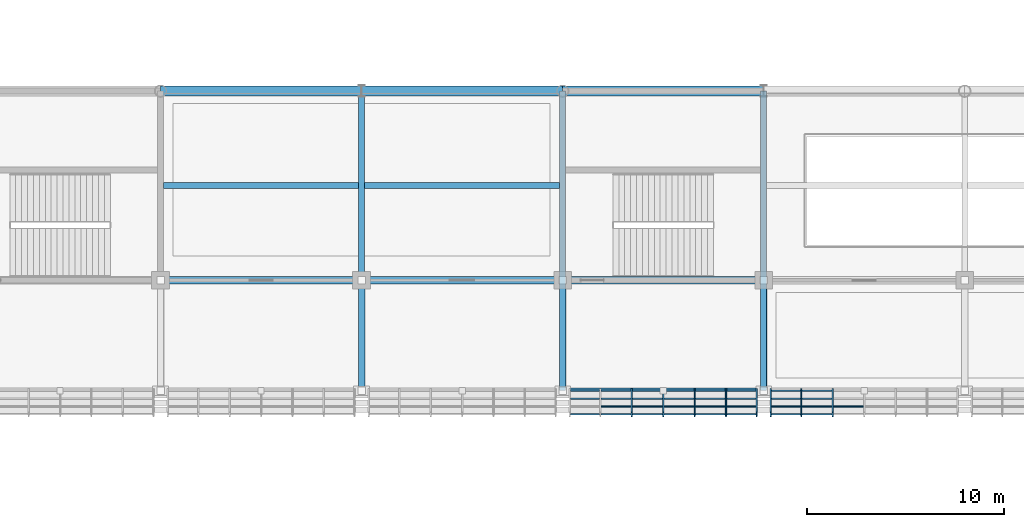
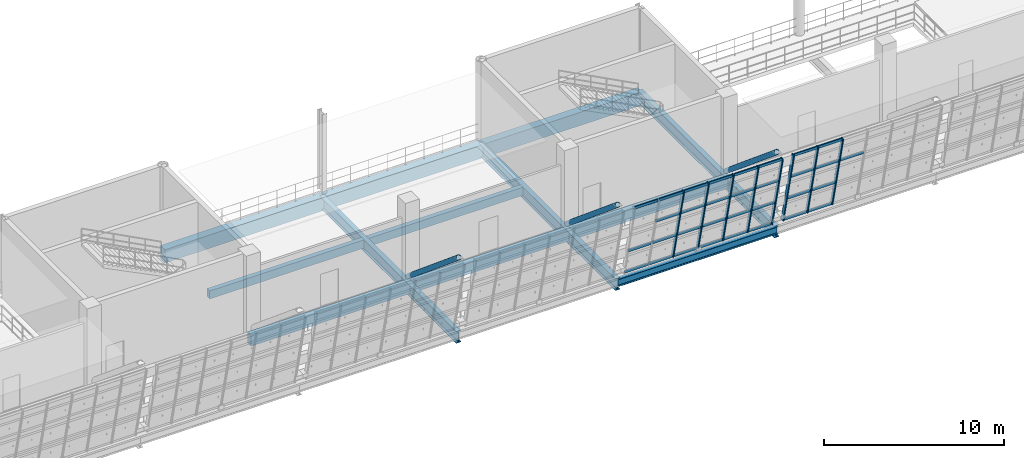
# One storey, part 29 of 175: 43 members, 12 beams, 2 elements without a shape of their own.
"""IFC4 building model written with IfcOpenShell, lengths in metres."""

from ifc_helpers import new_model, si_unit, direction, frame, origin, origin_2d, place, context, subcontext, project, spatial, rectangle, hollow_rectangle, hollow_circle, i_section, extrude, material, material_profile, profile_set, type_object, element, aggregate, save


model = new_model("IFC4")

# Units and contexts
model_context = context("Model", 3, precision=1e-05, world=origin(), true_north=direction((0.0, 1.0)))
body_context = subcontext(model_context, "Body", "Model", "MODEL_VIEW")
ifc_project = project(units=[si_unit("LENGTHUNIT", "METRE"), si_unit("AREAUNIT", "SQUARE_METRE"), si_unit("VOLUMEUNIT", "CUBIC_METRE"), si_unit("PLANEANGLEUNIT", "RADIAN"), si_unit("MASSUNIT", "GRAM", prefix="KILO")], contexts=[model_context])

# Site, building, storey
site_placement = place(None, origin())
site = spatial("IfcSite", under=ifc_project, at=site_placement, CompositionType="ELEMENT")
building_placement = place(site_placement, origin())
building = spatial("IfcBuilding", under=site, at=building_placement, Name="Brelvane Convention Centre", CompositionType="ELEMENT")
storey_placement = place(building_placement, frame((0.0, 0.0, 5.39990234375)))
storey = spatial("IfcBuildingStorey", under=building, at=storey_placement, Name="L01", CompositionType="ELEMENT", Elevation=5.39990234375)

# Curtain wall, members
ifc_material_1 = material(Name="Anodised Aluminium Alloy 6063-T6", Category="aluminium")
curtain_wall_type = type_object("IfcCurtainWallType", Name="Curtain Wall CW-HULL-S", PredefinedType="USERDEFINED", material=ifc_material_1)
curtain_wall_1_placement = place(storey_placement, origin())
curtain_wall_1 = element("IfcCurtainWall", 1, at=curtain_wall_1_placement, inside=storey, type_object=curtain_wall_type, Name="Curtain Wall CW-HULL-S L01-HULL-S-L01-09", ObjectType="UNITISED", PredefinedType="USERDEFINED")
ifc_material_2 = material(Name="Anodised Aluminium Alloy 6063-T6", Category="aluminium")
ifc_material_profile_1 = material_profile(ifc_material_2, hollow_rectangle(XDim=0.080078125, YDim=0.239990234375, WallThickness=0.006103515625, InnerFilletRadius=0.006103515625, OuterFilletRadius=0.011962890625, at=origin_2d()), Name="ALU-M 240x80x6.0")
ifc_profile_set_1 = profile_set([ifc_material_profile_1], Name="Anodised Aluminium Alloy 6063-T6")
member_type_1 = type_object("IfcMemberType", Name="Curtain Mullion CW-M1", PredefinedType="MULLION", material=ifc_profile_set_1)
member_1_placement = place(storey_placement, frame((85.106689453125, 13.60009765625, 0.0), z_axis=(0.0, -0.228360162456, 0.973576723326), x_axis=(1.0, 0.0, 0.0)))
member_1 = element("IfcMember", 2, at=member_1_placement, type_object=member_type_1, Name="CW-HULL-S mullion 3", PredefinedType="MULLION", context=body_context, shape_type="SweptSolid", body=[
    extrude(hollow_rectangle(XDim=0.080078125, YDim=0.239990234375, WallThickness=0.006103515625, InnerFilletRadius=0.006103515625, OuterFilletRadius=0.011962890625, at=origin_2d()), origin(), (0.0, 0.0, 1.0), 5.2900390625),
])
member_2_placement = place(storey_placement, frame((86.699951171875, 13.60009765625, 0.0), z_axis=(0.0, -0.228360162456, 0.973576723326), x_axis=(1.0, 0.0, 0.0)))
member_2 = element("IfcMember", 3, at=member_2_placement, type_object=member_type_1, Name="CW-HULL-S mullion 4", PredefinedType="MULLION", context=body_context, shape_type="SweptSolid", body=[
    extrude(hollow_rectangle(XDim=0.080078125, YDim=0.239990234375, WallThickness=0.006103515625, InnerFilletRadius=0.006103515625, OuterFilletRadius=0.011962890625, at=origin_2d()), origin(), (0.0, 0.0, 1.0), 5.2900390625),
])
member_3_placement = place(storey_placement, frame((88.293212890625, 13.60009765625, 0.0), z_axis=(0.0, -0.228360162456, 0.973576723326), x_axis=(1.0, 0.0, 0.0)))
member_3 = element("IfcMember", 4, at=member_3_placement, type_object=member_type_1, Name="CW-HULL-S mullion 5", PredefinedType="MULLION", context=body_context, shape_type="SweptSolid", body=[
    extrude(hollow_rectangle(XDim=0.080078125, YDim=0.239990234375, WallThickness=0.006103515625, InnerFilletRadius=0.006103515625, OuterFilletRadius=0.011962890625, at=origin_2d()), origin(), (0.0, 0.0, 1.0), 5.2900390625),
])
member_4_placement = place(storey_placement, frame((89.88671875, 13.60009765625, 0.0), z_axis=(0.0, -0.228360162456, 0.973576723326), x_axis=(1.0, 0.0, 0.0)))
member_4 = element("IfcMember", 5, at=member_4_placement, type_object=member_type_1, Name="CW-HULL-S mullion 6", PredefinedType="MULLION", context=body_context, shape_type="SweptSolid", body=[
    extrude(hollow_rectangle(XDim=0.080078125, YDim=0.239990234375, WallThickness=0.006103515625, InnerFilletRadius=0.006103515625, OuterFilletRadius=0.011962890625, at=origin_2d()), origin(), (0.0, 0.0, 1.0), 5.2900390625),
])
member_5_placement = place(storey_placement, frame((91.43994140625, 13.60009765625, 0.0), z_axis=(0.0, -0.228360162456, 0.973576723326), x_axis=(1.0, 0.0, 0.0)))
member_5 = element("IfcMember", 6, at=member_5_placement, type_object=member_type_1, Name="CW-HULL-S mullion 7", PredefinedType="MULLION", context=body_context, shape_type="SweptSolid", body=[
    extrude(hollow_rectangle(XDim=0.080078125, YDim=0.239990234375, WallThickness=0.006103515625, InnerFilletRadius=0.006103515625, OuterFilletRadius=0.011962890625, at=origin_2d()), origin(), (0.0, 0.0, 1.0), 5.2900390625),
])

curtain_wall_2_placement = place(storey_placement, origin())
curtain_wall_2 = element("IfcCurtainWall", 7, at=curtain_wall_2_placement, inside=storey, type_object=curtain_wall_type, Name="Curtain Wall CW-HULL-S L01-HULL-S-L01-10", ObjectType="UNITISED", PredefinedType="USERDEFINED")
member_6_placement = place(storey_placement, frame((92.159912109375, 13.60009765625, 0.0), z_axis=(0.0, -0.228360162456, 0.973576723326), x_axis=(1.0, 0.0, 0.0)))
member_6 = element("IfcMember", 8, at=member_6_placement, type_object=member_type_1, Name="CW-HULL-S mullion 1", PredefinedType="MULLION", context=body_context, shape_type="SweptSolid", body=[
    extrude(hollow_rectangle(XDim=0.080078125, YDim=0.239990234375, WallThickness=0.006103515625, InnerFilletRadius=0.006103515625, OuterFilletRadius=0.011962890625, at=origin_2d()), origin(), (0.0, 0.0, 1.0), 5.2900390625),
])
member_7_placement = place(storey_placement, frame((93.71337890625, 13.60009765625, 0.0), z_axis=(0.0, -0.228360162456, 0.973576723326), x_axis=(1.0, 0.0, 0.0)))
member_7 = element("IfcMember", 9, at=member_7_placement, type_object=member_type_1, Name="CW-HULL-S mullion 2", PredefinedType="MULLION", context=body_context, shape_type="SweptSolid", body=[
    extrude(hollow_rectangle(XDim=0.080078125, YDim=0.239990234375, WallThickness=0.006103515625, InnerFilletRadius=0.006103515625, OuterFilletRadius=0.011962890625, at=origin_2d()), origin(), (0.0, 0.0, 1.0), 5.2900390625),
])
member_8_placement = place(storey_placement, frame((95.306640625, 13.60009765625, 0.0), z_axis=(0.0, -0.228360162456, 0.973576723326), x_axis=(1.0, 0.0, 0.0)))
member_8 = element("IfcMember", 10, at=member_8_placement, type_object=member_type_1, Name="CW-HULL-S mullion 3", PredefinedType="MULLION", context=body_context, shape_type="SweptSolid", body=[
    extrude(hollow_rectangle(XDim=0.080078125, YDim=0.239990234375, WallThickness=0.006103515625, InnerFilletRadius=0.006103515625, OuterFilletRadius=0.011962890625, at=origin_2d()), origin(), (0.0, 0.0, 1.0), 5.2900390625),
])

# Member
ifc_material_3 = material(Name="Anodised Aluminium Alloy 6063-T6", Category="aluminium")
ifc_material_profile_2 = material_profile(ifc_material_3, hollow_rectangle(XDim=0.080078125, YDim=0.179931640625, WallThickness=0.0048828125, InnerFilletRadius=0.0048828125, OuterFilletRadius=0.010009765625, at=origin_2d()), Name="ALU-T 180x80x5.0")
ifc_profile_set_2 = profile_set([ifc_material_profile_2], Name="Anodised Aluminium Alloy 6063-T6")
member_type_2 = type_object("IfcMemberType", Name="Curtain Transom CW-T1", PredefinedType="USERDEFINED", material=ifc_profile_set_2)
member_9_placement = place(storey_placement, frame((82.0, 13.590576171875, 0.0400390625), z_axis=(1.0, 0.0, 0.0), x_axis=(0.0, 1.0, 0.0)))
member_9 = element("IfcMember", 11, at=member_9_placement, type_object=member_type_2, Name="CW-HULL-S transom 1.1", ObjectType="TRANSOM", PredefinedType="USERDEFINED", context=body_context, shape_type="SweptSolid", body=[
    extrude(hollow_rectangle(XDim=0.080078125, YDim=0.179931640625, WallThickness=0.0048828125, InnerFilletRadius=0.0048828125, OuterFilletRadius=0.010009765625, at=origin_2d()), origin(), (0.0, 0.0, 1.0), 1.473388671875),
])

member_10_placement = place(storey_placement, frame((82.0, 13.197265625, 1.716796875), z_axis=(1.0, 0.0, 0.0), x_axis=(0.0, 1.0, 0.0)))
member_10 = element("IfcMember", 12, at=member_10_placement, type_object=member_type_2, Name="CW-HULL-S transom 1.2", ObjectType="TRANSOM", PredefinedType="USERDEFINED", context=body_context, shape_type="SweptSolid", body=[
    extrude(hollow_rectangle(XDim=0.080078125, YDim=0.179931640625, WallThickness=0.0048828125, InnerFilletRadius=0.0048828125, OuterFilletRadius=0.010009765625, at=origin_2d()), origin(), (0.0, 0.0, 1.0), 1.473388671875),
])

member_11_placement = place(storey_placement, frame((82.0, 12.4013671875, 5.110107421875), z_axis=(1.0, 0.0, 0.0), x_axis=(0.0, 1.0, 0.0)))
member_11 = element("IfcMember", 13, at=member_11_placement, type_object=member_type_2, Name="CW-HULL-S transom 1.4", ObjectType="TRANSOM", PredefinedType="USERDEFINED", context=body_context, shape_type="SweptSolid", body=[
    extrude(hollow_rectangle(XDim=0.080078125, YDim=0.179931640625, WallThickness=0.0048828125, InnerFilletRadius=0.0048828125, OuterFilletRadius=0.010009765625, at=origin_2d()), origin(), (0.0, 0.0, 1.0), 1.473388671875),
])

member_12_placement = place(storey_placement, frame((83.55322265625, 13.590576171875, 0.0400390625), z_axis=(1.0, 0.0, 0.0), x_axis=(0.0, 1.0, 0.0)))
member_12 = element("IfcMember", 14, at=member_12_placement, type_object=member_type_2, Name="CW-HULL-S transom 2.1", ObjectType="TRANSOM", PredefinedType="USERDEFINED", context=body_context, shape_type="SweptSolid", body=[
    extrude(hollow_rectangle(XDim=0.080078125, YDim=0.179931640625, WallThickness=0.0048828125, InnerFilletRadius=0.0048828125, OuterFilletRadius=0.010009765625, at=origin_2d()), origin(), (0.0, 0.0, 1.0), 1.513427734375),
])

member_13_placement = place(storey_placement, frame((83.55322265625, 13.197265625, 1.716796875), z_axis=(1.0, 0.0, 0.0), x_axis=(0.0, 1.0, 0.0)))
member_13 = element("IfcMember", 15, at=member_13_placement, type_object=member_type_2, Name="CW-HULL-S transom 2.2", ObjectType="TRANSOM", PredefinedType="USERDEFINED", context=body_context, shape_type="SweptSolid", body=[
    extrude(hollow_rectangle(XDim=0.080078125, YDim=0.179931640625, WallThickness=0.0048828125, InnerFilletRadius=0.0048828125, OuterFilletRadius=0.010009765625, at=origin_2d()), origin(), (0.0, 0.0, 1.0), 1.513427734375),
])

member_14_placement = place(storey_placement, frame((83.55322265625, 12.794677734375, 3.433349609375), z_axis=(1.0, 0.0, 0.0), x_axis=(0.0, 1.0, 0.0)))
member_14 = element("IfcMember", 16, at=member_14_placement, type_object=member_type_2, Name="CW-HULL-S transom 2.3", ObjectType="TRANSOM", PredefinedType="USERDEFINED", context=body_context, shape_type="SweptSolid", body=[
    extrude(hollow_rectangle(XDim=0.080078125, YDim=0.179931640625, WallThickness=0.0048828125, InnerFilletRadius=0.0048828125, OuterFilletRadius=0.010009765625, at=origin_2d()), origin(), (0.0, 0.0, 1.0), 1.513427734375),
])

member_15_placement = place(storey_placement, frame((83.55322265625, 12.4013671875, 5.110107421875), z_axis=(1.0, 0.0, 0.0), x_axis=(0.0, 1.0, 0.0)))
member_15 = element("IfcMember", 17, at=member_15_placement, type_object=member_type_2, Name="CW-HULL-S transom 2.4", ObjectType="TRANSOM", PredefinedType="USERDEFINED", context=body_context, shape_type="SweptSolid", body=[
    extrude(hollow_rectangle(XDim=0.080078125, YDim=0.179931640625, WallThickness=0.0048828125, InnerFilletRadius=0.0048828125, OuterFilletRadius=0.010009765625, at=origin_2d()), origin(), (0.0, 0.0, 1.0), 1.513427734375),
])

member_16_placement = place(storey_placement, frame((85.146728515625, 13.590576171875, 0.0400390625), z_axis=(1.0, 0.0, 0.0), x_axis=(0.0, 1.0, 0.0)))
member_16 = element("IfcMember", 18, at=member_16_placement, type_object=member_type_2, Name="CW-HULL-S transom 3.1", ObjectType="TRANSOM", PredefinedType="USERDEFINED", context=body_context, shape_type="SweptSolid", body=[
    extrude(hollow_rectangle(XDim=0.080078125, YDim=0.179931640625, WallThickness=0.0048828125, InnerFilletRadius=0.0048828125, OuterFilletRadius=0.010009765625, at=origin_2d()), origin(), (0.0, 0.0, 1.0), 1.51318359375),
])

member_17_placement = place(storey_placement, frame((85.146728515625, 13.197265625, 1.716796875), z_axis=(1.0, 0.0, 0.0), x_axis=(0.0, 1.0, 0.0)))
member_17 = element("IfcMember", 19, at=member_17_placement, type_object=member_type_2, Name="CW-HULL-S transom 3.2", ObjectType="TRANSOM", PredefinedType="USERDEFINED", context=body_context, shape_type="SweptSolid", body=[
    extrude(hollow_rectangle(XDim=0.080078125, YDim=0.179931640625, WallThickness=0.0048828125, InnerFilletRadius=0.0048828125, OuterFilletRadius=0.010009765625, at=origin_2d()), origin(), (0.0, 0.0, 1.0), 1.51318359375),
])

member_18_placement = place(storey_placement, frame((85.146728515625, 12.794677734375, 3.433349609375), z_axis=(1.0, 0.0, 0.0), x_axis=(0.0, 1.0, 0.0)))
member_18 = element("IfcMember", 20, at=member_18_placement, type_object=member_type_2, Name="CW-HULL-S transom 3.3", ObjectType="TRANSOM", PredefinedType="USERDEFINED", context=body_context, shape_type="SweptSolid", body=[
    extrude(hollow_rectangle(XDim=0.080078125, YDim=0.179931640625, WallThickness=0.0048828125, InnerFilletRadius=0.0048828125, OuterFilletRadius=0.010009765625, at=origin_2d()), origin(), (0.0, 0.0, 1.0), 1.51318359375),
])

member_19_placement = place(storey_placement, frame((85.146728515625, 12.4013671875, 5.110107421875), z_axis=(1.0, 0.0, 0.0), x_axis=(0.0, 1.0, 0.0)))
member_19 = element("IfcMember", 21, at=member_19_placement, type_object=member_type_2, Name="CW-HULL-S transom 3.4", ObjectType="TRANSOM", PredefinedType="USERDEFINED", context=body_context, shape_type="SweptSolid", body=[
    extrude(hollow_rectangle(XDim=0.080078125, YDim=0.179931640625, WallThickness=0.0048828125, InnerFilletRadius=0.0048828125, OuterFilletRadius=0.010009765625, at=origin_2d()), origin(), (0.0, 0.0, 1.0), 1.51318359375),
])

member_20_placement = place(storey_placement, frame((86.739990234375, 13.590576171875, 0.0400390625), z_axis=(1.0, 0.0, 0.0), x_axis=(0.0, 1.0, 0.0)))
member_20 = element("IfcMember", 22, at=member_20_placement, type_object=member_type_2, Name="CW-HULL-S transom 4.1", ObjectType="TRANSOM", PredefinedType="USERDEFINED", context=body_context, shape_type="SweptSolid", body=[
    extrude(hollow_rectangle(XDim=0.080078125, YDim=0.179931640625, WallThickness=0.0048828125, InnerFilletRadius=0.0048828125, OuterFilletRadius=0.010009765625, at=origin_2d()), origin(), (0.0, 0.0, 1.0), 1.513427734375),
])

member_21_placement = place(storey_placement, frame((86.739990234375, 13.197265625, 1.716796875), z_axis=(1.0, 0.0, 0.0), x_axis=(0.0, 1.0, 0.0)))
member_21 = element("IfcMember", 23, at=member_21_placement, type_object=member_type_2, Name="CW-HULL-S transom 4.2", ObjectType="TRANSOM", PredefinedType="USERDEFINED", context=body_context, shape_type="SweptSolid", body=[
    extrude(hollow_rectangle(XDim=0.080078125, YDim=0.179931640625, WallThickness=0.0048828125, InnerFilletRadius=0.0048828125, OuterFilletRadius=0.010009765625, at=origin_2d()), origin(), (0.0, 0.0, 1.0), 1.513427734375),
])

member_22_placement = place(storey_placement, frame((86.739990234375, 12.794677734375, 3.433349609375), z_axis=(1.0, 0.0, 0.0), x_axis=(0.0, 1.0, 0.0)))
member_22 = element("IfcMember", 24, at=member_22_placement, type_object=member_type_2, Name="CW-HULL-S transom 4.3", ObjectType="TRANSOM", PredefinedType="USERDEFINED", context=body_context, shape_type="SweptSolid", body=[
    extrude(hollow_rectangle(XDim=0.080078125, YDim=0.179931640625, WallThickness=0.0048828125, InnerFilletRadius=0.0048828125, OuterFilletRadius=0.010009765625, at=origin_2d()), origin(), (0.0, 0.0, 1.0), 1.513427734375),
])

member_23_placement = place(storey_placement, frame((86.739990234375, 12.4013671875, 5.110107421875), z_axis=(1.0, 0.0, 0.0), x_axis=(0.0, 1.0, 0.0)))
member_23 = element("IfcMember", 25, at=member_23_placement, type_object=member_type_2, Name="CW-HULL-S transom 4.4", ObjectType="TRANSOM", PredefinedType="USERDEFINED", context=body_context, shape_type="SweptSolid", body=[
    extrude(hollow_rectangle(XDim=0.080078125, YDim=0.179931640625, WallThickness=0.0048828125, InnerFilletRadius=0.0048828125, OuterFilletRadius=0.010009765625, at=origin_2d()), origin(), (0.0, 0.0, 1.0), 1.513427734375),
])

member_24_placement = place(storey_placement, frame((88.333251953125, 13.590576171875, 0.0400390625), z_axis=(1.0, 0.0, 0.0), x_axis=(0.0, 1.0, 0.0)))
member_24 = element("IfcMember", 26, at=member_24_placement, type_object=member_type_2, Name="CW-HULL-S transom 5.1", ObjectType="TRANSOM", PredefinedType="USERDEFINED", context=body_context, shape_type="SweptSolid", body=[
    extrude(hollow_rectangle(XDim=0.080078125, YDim=0.179931640625, WallThickness=0.0048828125, InnerFilletRadius=0.0048828125, OuterFilletRadius=0.010009765625, at=origin_2d()), origin(), (0.0, 0.0, 1.0), 1.513427734375),
])

member_25_placement = place(storey_placement, frame((88.333251953125, 13.197265625, 1.716796875), z_axis=(1.0, 0.0, 0.0), x_axis=(0.0, 1.0, 0.0)))
member_25 = element("IfcMember", 27, at=member_25_placement, type_object=member_type_2, Name="CW-HULL-S transom 5.2", ObjectType="TRANSOM", PredefinedType="USERDEFINED", context=body_context, shape_type="SweptSolid", body=[
    extrude(hollow_rectangle(XDim=0.080078125, YDim=0.179931640625, WallThickness=0.0048828125, InnerFilletRadius=0.0048828125, OuterFilletRadius=0.010009765625, at=origin_2d()), origin(), (0.0, 0.0, 1.0), 1.513427734375),
])

member_26_placement = place(storey_placement, frame((88.333251953125, 12.794677734375, 3.433349609375), z_axis=(1.0, 0.0, 0.0), x_axis=(0.0, 1.0, 0.0)))
member_26 = element("IfcMember", 28, at=member_26_placement, type_object=member_type_2, Name="CW-HULL-S transom 5.3", ObjectType="TRANSOM", PredefinedType="USERDEFINED", context=body_context, shape_type="SweptSolid", body=[
    extrude(hollow_rectangle(XDim=0.080078125, YDim=0.179931640625, WallThickness=0.0048828125, InnerFilletRadius=0.0048828125, OuterFilletRadius=0.010009765625, at=origin_2d()), origin(), (0.0, 0.0, 1.0), 1.513427734375),
])

member_27_placement = place(storey_placement, frame((88.333251953125, 12.4013671875, 5.110107421875), z_axis=(1.0, 0.0, 0.0), x_axis=(0.0, 1.0, 0.0)))
member_27 = element("IfcMember", 29, at=member_27_placement, type_object=member_type_2, Name="CW-HULL-S transom 5.4", ObjectType="TRANSOM", PredefinedType="USERDEFINED", context=body_context, shape_type="SweptSolid", body=[
    extrude(hollow_rectangle(XDim=0.080078125, YDim=0.179931640625, WallThickness=0.0048828125, InnerFilletRadius=0.0048828125, OuterFilletRadius=0.010009765625, at=origin_2d()), origin(), (0.0, 0.0, 1.0), 1.513427734375),
])

member_28_placement = place(storey_placement, frame((89.9267578125, 13.590576171875, 0.0400390625), z_axis=(1.0, 0.0, 0.0), x_axis=(0.0, 1.0, 0.0)))
member_28 = element("IfcMember", 30, at=member_28_placement, type_object=member_type_2, Name="CW-HULL-S transom 6.1", ObjectType="TRANSOM", PredefinedType="USERDEFINED", context=body_context, shape_type="SweptSolid", body=[
    extrude(hollow_rectangle(XDim=0.080078125, YDim=0.179931640625, WallThickness=0.0048828125, InnerFilletRadius=0.0048828125, OuterFilletRadius=0.010009765625, at=origin_2d()), origin(), (0.0, 0.0, 1.0), 1.47314453125),
])

member_29_placement = place(storey_placement, frame((89.9267578125, 13.197265625, 1.716796875), z_axis=(1.0, 0.0, 0.0), x_axis=(0.0, 1.0, 0.0)))
member_29 = element("IfcMember", 31, at=member_29_placement, type_object=member_type_2, Name="CW-HULL-S transom 6.2", ObjectType="TRANSOM", PredefinedType="USERDEFINED", context=body_context, shape_type="SweptSolid", body=[
    extrude(hollow_rectangle(XDim=0.080078125, YDim=0.179931640625, WallThickness=0.0048828125, InnerFilletRadius=0.0048828125, OuterFilletRadius=0.010009765625, at=origin_2d()), origin(), (0.0, 0.0, 1.0), 1.47314453125),
])

member_30_placement = place(storey_placement, frame((89.9267578125, 12.794677734375, 3.433349609375), z_axis=(1.0, 0.0, 0.0), x_axis=(0.0, 1.0, 0.0)))
member_30 = element("IfcMember", 32, at=member_30_placement, type_object=member_type_2, Name="CW-HULL-S transom 6.3", ObjectType="TRANSOM", PredefinedType="USERDEFINED", context=body_context, shape_type="SweptSolid", body=[
    extrude(hollow_rectangle(XDim=0.080078125, YDim=0.179931640625, WallThickness=0.0048828125, InnerFilletRadius=0.0048828125, OuterFilletRadius=0.010009765625, at=origin_2d()), origin(), (0.0, 0.0, 1.0), 1.47314453125),
])

member_31_placement = place(storey_placement, frame((89.9267578125, 12.4013671875, 5.110107421875), z_axis=(1.0, 0.0, 0.0), x_axis=(0.0, 1.0, 0.0)))
member_31 = element("IfcMember", 33, at=member_31_placement, type_object=member_type_2, Name="CW-HULL-S transom 6.4", ObjectType="TRANSOM", PredefinedType="USERDEFINED", context=body_context, shape_type="SweptSolid", body=[
    extrude(hollow_rectangle(XDim=0.080078125, YDim=0.179931640625, WallThickness=0.0048828125, InnerFilletRadius=0.0048828125, OuterFilletRadius=0.010009765625, at=origin_2d()), origin(), (0.0, 0.0, 1.0), 1.47314453125),
])

aggregate(curtain_wall_1, [member_1, member_2, member_3, member_4, member_5, member_9, member_10, member_11, member_12, member_13, member_14, member_15, member_16, member_17, member_18, member_19, member_20, member_21, member_22, member_23, member_24, member_25, member_26, member_27, member_28, member_29, member_30, member_31])

member_32_placement = place(storey_placement, frame((92.199951171875, 13.590576171875, 0.0400390625), z_axis=(1.0, 0.0, 0.0), x_axis=(0.0, 1.0, 0.0)))
member_32 = element("IfcMember", 34, at=member_32_placement, type_object=member_type_2, Name="CW-HULL-S transom 1.1", ObjectType="TRANSOM", PredefinedType="USERDEFINED", context=body_context, shape_type="SweptSolid", body=[
    extrude(hollow_rectangle(XDim=0.080078125, YDim=0.179931640625, WallThickness=0.0048828125, InnerFilletRadius=0.0048828125, OuterFilletRadius=0.010009765625, at=origin_2d()), origin(), (0.0, 0.0, 1.0), 1.473388671875),
])

member_33_placement = place(storey_placement, frame((92.199951171875, 13.197265625, 1.716796875), z_axis=(1.0, 0.0, 0.0), x_axis=(0.0, 1.0, 0.0)))
member_33 = element("IfcMember", 35, at=member_33_placement, type_object=member_type_2, Name="CW-HULL-S transom 1.2", ObjectType="TRANSOM", PredefinedType="USERDEFINED", context=body_context, shape_type="SweptSolid", body=[
    extrude(hollow_rectangle(XDim=0.080078125, YDim=0.179931640625, WallThickness=0.0048828125, InnerFilletRadius=0.0048828125, OuterFilletRadius=0.010009765625, at=origin_2d()), origin(), (0.0, 0.0, 1.0), 1.473388671875),
])

member_34_placement = place(storey_placement, frame((92.199951171875, 12.794677734375, 3.433349609375), z_axis=(1.0, 0.0, 0.0), x_axis=(0.0, 1.0, 0.0)))
member_34 = element("IfcMember", 36, at=member_34_placement, type_object=member_type_2, Name="CW-HULL-S transom 1.3", ObjectType="TRANSOM", PredefinedType="USERDEFINED", context=body_context, shape_type="SweptSolid", body=[
    extrude(hollow_rectangle(XDim=0.080078125, YDim=0.179931640625, WallThickness=0.0048828125, InnerFilletRadius=0.0048828125, OuterFilletRadius=0.010009765625, at=origin_2d()), origin(), (0.0, 0.0, 1.0), 1.473388671875),
])

member_35_placement = place(storey_placement, frame((92.199951171875, 12.4013671875, 5.110107421875), z_axis=(1.0, 0.0, 0.0), x_axis=(0.0, 1.0, 0.0)))
member_35 = element("IfcMember", 37, at=member_35_placement, type_object=member_type_2, Name="CW-HULL-S transom 1.4", ObjectType="TRANSOM", PredefinedType="USERDEFINED", context=body_context, shape_type="SweptSolid", body=[
    extrude(hollow_rectangle(XDim=0.080078125, YDim=0.179931640625, WallThickness=0.0048828125, InnerFilletRadius=0.0048828125, OuterFilletRadius=0.010009765625, at=origin_2d()), origin(), (0.0, 0.0, 1.0), 1.473388671875),
])

member_36_placement = place(storey_placement, frame((93.75341796875, 13.590576171875, 0.0400390625), z_axis=(1.0, 0.0, 0.0), x_axis=(0.0, 1.0, 0.0)))
member_36 = element("IfcMember", 38, at=member_36_placement, type_object=member_type_2, Name="CW-HULL-S transom 2.1", ObjectType="TRANSOM", PredefinedType="USERDEFINED", context=body_context, shape_type="SweptSolid", body=[
    extrude(hollow_rectangle(XDim=0.080078125, YDim=0.179931640625, WallThickness=0.0048828125, InnerFilletRadius=0.0048828125, OuterFilletRadius=0.010009765625, at=origin_2d()), origin(), (0.0, 0.0, 1.0), 1.51318359375),
])

member_37_placement = place(storey_placement, frame((93.75341796875, 13.197265625, 1.716796875), z_axis=(1.0, 0.0, 0.0), x_axis=(0.0, 1.0, 0.0)))
member_37 = element("IfcMember", 39, at=member_37_placement, type_object=member_type_2, Name="CW-HULL-S transom 2.2", ObjectType="TRANSOM", PredefinedType="USERDEFINED", context=body_context, shape_type="SweptSolid", body=[
    extrude(hollow_rectangle(XDim=0.080078125, YDim=0.179931640625, WallThickness=0.0048828125, InnerFilletRadius=0.0048828125, OuterFilletRadius=0.010009765625, at=origin_2d()), origin(), (0.0, 0.0, 1.0), 1.51318359375),
])

member_38_placement = place(storey_placement, frame((93.75341796875, 12.794677734375, 3.433349609375), z_axis=(1.0, 0.0, 0.0), x_axis=(0.0, 1.0, 0.0)))
member_38 = element("IfcMember", 40, at=member_38_placement, type_object=member_type_2, Name="CW-HULL-S transom 2.3", ObjectType="TRANSOM", PredefinedType="USERDEFINED", context=body_context, shape_type="SweptSolid", body=[
    extrude(hollow_rectangle(XDim=0.080078125, YDim=0.179931640625, WallThickness=0.0048828125, InnerFilletRadius=0.0048828125, OuterFilletRadius=0.010009765625, at=origin_2d()), origin(), (0.0, 0.0, 1.0), 1.51318359375),
])

member_39_placement = place(storey_placement, frame((93.75341796875, 12.4013671875, 5.110107421875), z_axis=(1.0, 0.0, 0.0), x_axis=(0.0, 1.0, 0.0)))
member_39 = element("IfcMember", 41, at=member_39_placement, type_object=member_type_2, Name="CW-HULL-S transom 2.4", ObjectType="TRANSOM", PredefinedType="USERDEFINED", context=body_context, shape_type="SweptSolid", body=[
    extrude(hollow_rectangle(XDim=0.080078125, YDim=0.179931640625, WallThickness=0.0048828125, InnerFilletRadius=0.0048828125, OuterFilletRadius=0.010009765625, at=origin_2d()), origin(), (0.0, 0.0, 1.0), 1.51318359375),
])

member_40_placement = place(storey_placement, frame((95.3466796875, 12.794677734375, 3.433349609375), z_axis=(1.0, 0.0, 0.0), x_axis=(0.0, 1.0, 0.0)))
member_40 = element("IfcMember", 42, at=member_40_placement, type_object=member_type_2, Name="CW-HULL-S transom 3.3", ObjectType="TRANSOM", PredefinedType="USERDEFINED", context=body_context, shape_type="SweptSolid", body=[
    extrude(hollow_rectangle(XDim=0.080078125, YDim=0.179931640625, WallThickness=0.0048828125, InnerFilletRadius=0.0048828125, OuterFilletRadius=0.010009765625, at=origin_2d()), origin(), (0.0, 0.0, 1.0), 1.513427734375),
])

aggregate(curtain_wall_2, [member_6, member_7, member_8, member_32, member_33, member_34, member_35, member_36, member_37, member_38, member_39, member_40])

# Beams
ifc_material_4 = material(Name="Concrete M40", Category="concrete")
ifc_material_profile_3 = material_profile(ifc_material_4, rectangle(XDim=0.5, YDim=0.89990234375, at=origin_2d()), Name="RC 500x900")
ifc_profile_set_3 = profile_set([ifc_material_profile_3], Name="Concrete M40")
beam_type_1 = type_object("IfcBeamType", Name="RC Beam B-RC4 (RC 500x900)", PredefinedType="BEAM", material=ifc_profile_set_3)
beam_1_placement = place(storey_placement, frame((61.199951171875, 28.800048828125, -0.7099609375), z_axis=(1.0, 0.0, 0.0), x_axis=(0.0, 1.0, 0.0)))
element("IfcBeam", 43, at=beam_1_placement, inside=storey, type_object=beam_type_1, Name="L01 Beam 7-8/D", PredefinedType="BEAM", context=body_context, shape_type="SweptSolid", body=[
    extrude(rectangle(XDim=0.5, YDim=0.89990234375, at=origin_2d()), origin(), (0.0, 0.0, 1.0), 10.199951171875),
])
beam_2_placement = place(storey_placement, frame((71.39990234375, 28.800048828125, -0.7099609375), z_axis=(1.0, 0.0, 0.0), x_axis=(0.0, 1.0, 0.0)))
element("IfcBeam", 44, at=beam_2_placement, inside=storey, type_object=beam_type_1, Name="L01 Beam 8-9/D", PredefinedType="BEAM", context=body_context, shape_type="SweptSolid", body=[
    extrude(rectangle(XDim=0.5, YDim=0.89990234375, at=origin_2d()), origin(), (0.0, 0.0, 1.0), 10.2001953125),
])
beam_3_placement = place(storey_placement, frame((81.60009765625, 28.800048828125, -0.7099609375), z_axis=(1.0, 0.0, 0.0), x_axis=(0.0, 1.0, 0.0)))
element("IfcBeam", 45, at=beam_3_placement, inside=storey, type_object=beam_type_1, Name="L01 Beam 9-10/D", PredefinedType="BEAM", context=body_context, shape_type="SweptSolid", body=[
    extrude(rectangle(XDim=0.5, YDim=0.89990234375, at=origin_2d()), origin(), (0.0, 0.0, 1.0), 10.199951171875),
])
ifc_material_5 = material(Name="Concrete M40", Category="concrete")
ifc_material_profile_4 = material_profile(ifc_material_5, rectangle(XDim=0.300048828125, YDim=0.550048828125, at=origin_2d()), Name="RC 300x550")
ifc_profile_set_4 = profile_set([ifc_material_profile_4], Name="Concrete M40")
beam_type_2 = type_object("IfcBeamType", Name="RC Joist J-RC1 (RC 300x550)", PredefinedType="JOIST", material=ifc_profile_set_4)
for number, where, z_axis, x_axis, name in (
    (46, (61.35009765625, 24.0, -0.534912109375), (1.0, 0.0, 0.0), (0.0, 1.0, 0.0), "L01 Secondary Joist 7-8/CD"),
    (47, (71.550048828125, 24.0, -0.534912109375), (1.0, 0.0, 0.0), (0.0, 1.0, 0.0), "L01 Secondary Joist 8-9/CD"),
):
    element("IfcBeam", number, at=place(storey_placement, frame(where, z_axis=z_axis, x_axis=x_axis)), inside=storey, type_object=beam_type_2, Name=name, PredefinedType="JOIST", context=body_context, shape_type="SweptSolid", body=[
        extrude(rectangle(XDim=0.300048828125, YDim=0.550048828125, at=origin_2d()), origin(), (0.0, 0.0, 1.0), 9.89990234375),
    ])
ifc_material_6 = material(Name="Concrete M40", Category="concrete")
ifc_material_profile_5 = material_profile(ifc_material_6, rectangle(XDim=0.39990234375, YDim=0.75, at=origin_2d()), Name="RC 400x750")
ifc_profile_set_5 = profile_set([ifc_material_profile_5], Name="Concrete M40")
beam_type_3 = type_object("IfcBeamType", Name="RC Spandrel SP-RC1 (RC 400x750)", PredefinedType="SPANDREL", material=ifc_profile_set_5)
beam_4_placement = place(storey_placement, frame((61.199951171875, 19.199951171875, -0.635009765625), z_axis=(1.0, 0.0, 0.0), x_axis=(0.0, 1.0, 0.0)))
element("IfcBeam", 48, at=beam_4_placement, inside=storey, type_object=beam_type_3, Name="L01 Beam 7-8/C", PredefinedType="SPANDREL", context=body_context, shape_type="SweptSolid", body=[
    extrude(rectangle(XDim=0.39990234375, YDim=0.75, at=origin_2d()), origin(), (0.0, 0.0, 1.0), 10.199951171875),
])
beam_5_placement = place(storey_placement, frame((71.39990234375, 19.199951171875, -0.635009765625), z_axis=(1.0, 0.0, 0.0), x_axis=(0.0, 1.0, 0.0)))
element("IfcBeam", 49, at=beam_5_placement, inside=storey, type_object=beam_type_3, Name="L01 Beam 8-9/C", PredefinedType="SPANDREL", context=body_context, shape_type="SweptSolid", body=[
    extrude(rectangle(XDim=0.39990234375, YDim=0.75, at=origin_2d()), origin(), (0.0, 0.0, 1.0), 10.2001953125),
])
beam_6_placement = place(storey_placement, frame((81.60009765625, 19.199951171875, -0.635009765625), z_axis=(1.0, 0.0, 0.0), x_axis=(0.0, 1.0, 0.0)))
element("IfcBeam", 50, at=beam_6_placement, inside=storey, type_object=beam_type_3, Name="L01 Beam 9-10/C", PredefinedType="SPANDREL", context=body_context, shape_type="SweptSolid", body=[
    extrude(rectangle(XDim=0.39990234375, YDim=0.75, at=origin_2d()), origin(), (0.0, 0.0, 1.0), 10.199951171875),
])
ifc_material_7 = material(Name="Steel E450 (450 MPa)", Category="steel")
ifc_material_profile_6 = material_profile(ifc_material_7, i_section(OverallWidth=0.300048828125, OverallDepth=0.800048828125, WebThickness=0.015380859375, FlangeThickness=0.030029296875, FilletRadius=0.027099609375, at=origin_2d()), Name="NPB 800x300")
ifc_profile_set_6 = profile_set([ifc_material_profile_6], Name="Steel E450 (450 MPa)")
beam_type_4 = type_object("IfcBeamType", Name="Steel Beam B-ST2 (NPB 800x300)", PredefinedType="BEAM", material=ifc_profile_set_6)
for number, where, z_axis, x_axis, name in (
    (51, (71.39990234375, 13.60009765625, -0.659912109375), (0.0, 1.0, 0.0), (-1.0, 0.0, 0.0), "L01 Hull Cantilever Girder 8"),
    (52, (81.60009765625, 13.60009765625, -0.659912109375), (0.0, 1.0, 0.0), (-1.0, 0.0, 0.0), "L01 Hull Cantilever Girder 9"),
    (53, (91.800048828125, 13.60009765625, -0.659912109375), (0.0, 1.0, 0.0), (-1.0, 0.0, 0.0), "L01 Hull Cantilever Girder 10"),
):
    element("IfcBeam", number, at=place(storey_placement, frame(where, z_axis=z_axis, x_axis=x_axis)), inside=storey, type_object=beam_type_4, Name=name, PredefinedType="BEAM", context=body_context, shape_type="SweptSolid", body=[
        extrude(i_section(OverallWidth=0.300048828125, OverallDepth=0.800048828125, WebThickness=0.015380859375, FlangeThickness=0.030029296875, FilletRadius=0.027099609375, at=origin_2d()), origin(), (0.0, 0.0, 1.0), 15.199951171875),
    ])
ifc_material_8 = material(Name="Steel E350 (350 MPa)", Category="steel")
ifc_material_profile_7 = material_profile(ifc_material_8, i_section(OverallWidth=0.25, OverallDepth=0.5, WebThickness=0.010009765625, FlangeThickness=0.0146484375, FilletRadius=0.01611328125, at=origin_2d()), Name="ISWB 500")
ifc_profile_set_7 = profile_set([ifc_material_profile_7], Name="Steel E350 (350 MPa)")
beam_type_5 = type_object("IfcBeamType", Name="Steel Spandrel SP-ST1 (ISWB 500)", PredefinedType="SPANDREL", material=ifc_profile_set_7)
beam_7_placement = place(storey_placement, frame((81.60009765625, 13.60009765625, -0.510009765625), z_axis=(1.0, 0.0, 0.0), x_axis=(0.0, 1.0, 0.0)))
element("IfcBeam", 54, at=beam_7_placement, inside=storey, type_object=beam_type_5, Name="L01 Hull Overhang Edge Spandrel 9", PredefinedType="SPANDREL", context=body_context, shape_type="SweptSolid", body=[
    extrude(i_section(OverallWidth=0.25, OverallDepth=0.5, WebThickness=0.010009765625, FlangeThickness=0.0146484375, FilletRadius=0.01611328125, at=origin_2d()), origin(), (0.0, 0.0, 1.0), 10.199951171875),
])

# Members
ifc_material_9 = material(Name="Steel E450 (450 MPa)", Category="steel")
ifc_material_profile_8 = material_profile(ifc_material_9, hollow_circle(Radius=0.161865234375, WallThickness=0.012451171875, at=origin_2d()), Name="CHS 323.9x12.5")
ifc_profile_set_8 = profile_set([ifc_material_profile_8], Name="Steel E450 (450 MPa)")
member_type_3 = type_object("IfcMemberType", Name="Steel Strut HS-ST2 (CHS 323.9x12.5)", PredefinedType="STRUT", material=ifc_profile_set_8)
for number, where, z_axis, x_axis, name in (
    (55, (71.39990234375, 19.199951171875, 0.050048828125), (0.0, -0.767976969641, 0.640477457918), (1.0, 0.0, 0.0), "Hull Overhang Raked Strut L01 V1-8"),
    (56, (81.60009765625, 19.199951171875, 0.050048828125), (0.0, -0.767976969641, 0.640477457918), (1.0, 0.0, 0.0), "Hull Overhang Raked Strut L01 V1-9"),
    (57, (91.800048828125, 19.199951171875, 0.050048828125), (0.0, -0.767976969641, 0.640477457918), (1.0, 0.0, 0.0), "Hull Overhang Raked Strut L01 V1-10"),
):
    element("IfcMember", number, at=place(storey_placement, frame(where, z_axis=z_axis, x_axis=x_axis)), inside=storey, type_object=member_type_3, Name=name, PredefinedType="STRUT", context=body_context, shape_type="SweptSolid", body=[
        extrude(hollow_circle(Radius=0.161865234375, WallThickness=0.012451171875, at=origin_2d()), origin(), (0.0, 0.0, 1.0), 7.291748046875),
    ])

save(model, "model.ifc")
